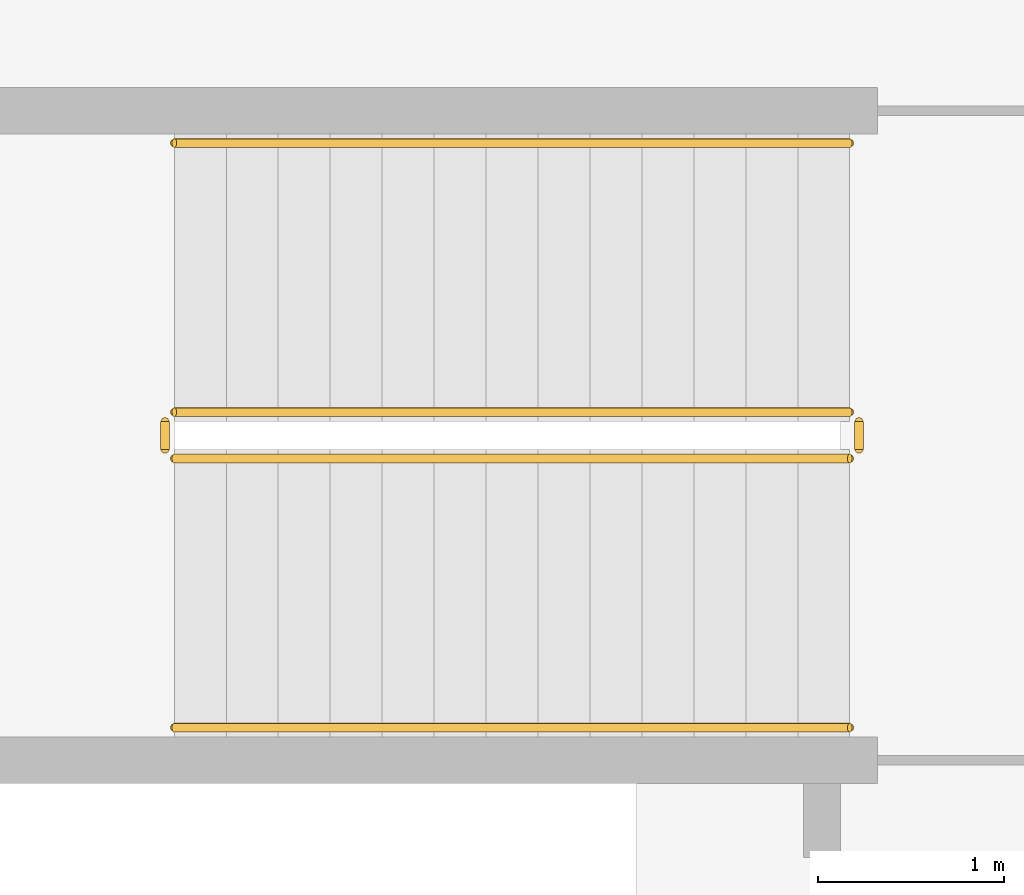
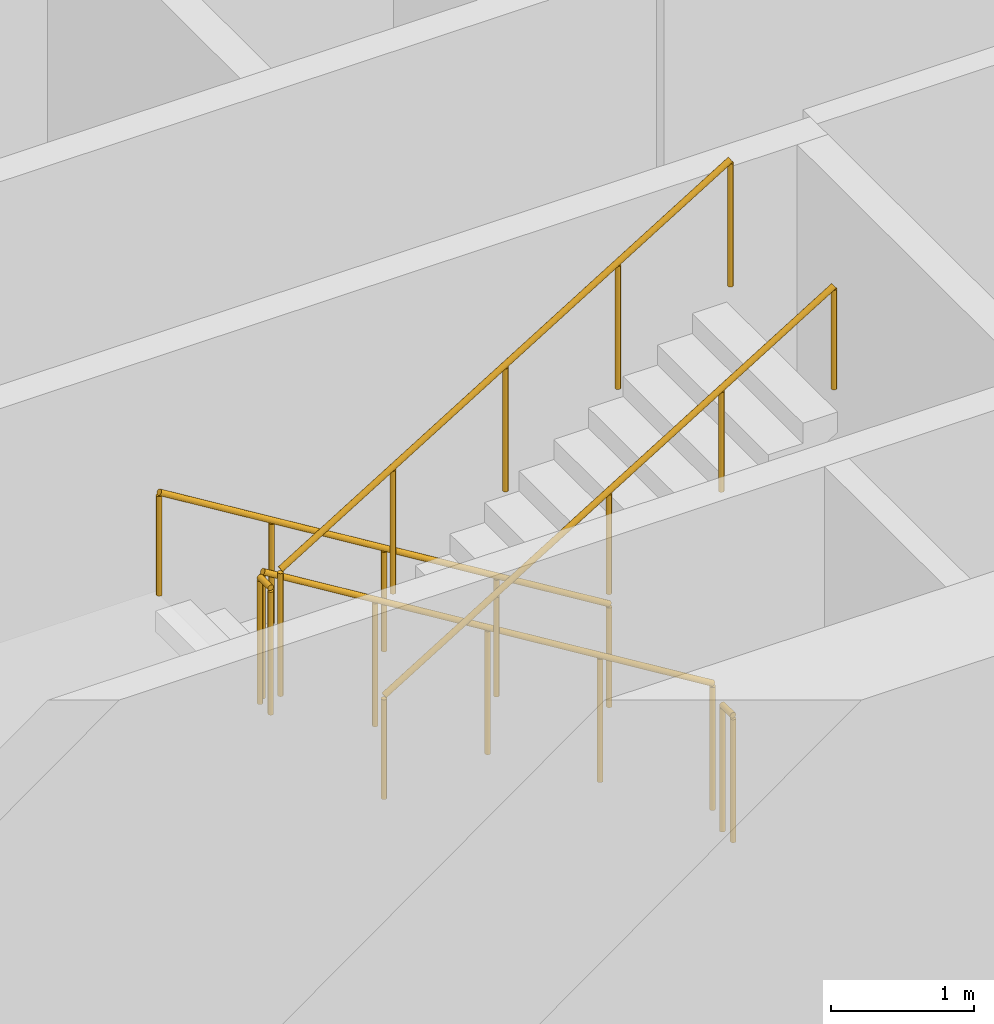
# One storey, part 17 of 21: 6 railings.
"""IFC4 building model written with IfcOpenShell, lengths in metres."""

from ifc_helpers import new_model, si_unit, direction, frame, origin, origin_2d, place, context, subcontext, project, spatial, circle, extrude, material, type_object, element, save


model = new_model("IFC4")

# Units and contexts
model_context = context("Model", 3, precision=1e-05, world=origin(), true_north=direction((0.0, 1.0)))
body_context = subcontext(model_context, "Body", "Model", "MODEL_VIEW")
ifc_project = project(units=[si_unit("LENGTHUNIT", "METRE"), si_unit("AREAUNIT", "SQUARE_METRE"), si_unit("VOLUMEUNIT", "CUBIC_METRE"), si_unit("PLANEANGLEUNIT", "RADIAN"), si_unit("MASSUNIT", "GRAM", prefix="KILO")], contexts=[model_context])

# Site, building, storey
site_placement = place(None, origin())
site = spatial("IfcSite", under=ifc_project, at=site_placement, CompositionType="ELEMENT")
building_placement = place(site_placement, origin())
building = spatial("IfcBuilding", under=site, at=building_placement, Name="Dhurran Vertical Campus", CompositionType="ELEMENT")
storey_placement = place(building_placement, frame((0.0, 0.0, 20.39990234375)))
storey = spatial("IfcBuildingStorey", under=building, at=storey_placement, Name="L04", CompositionType="ELEMENT", Elevation=20.39990234375)

# Railings
ifc_material_1 = material(Name="Stainless steel balustrade", Category="steel")
railing_type_1 = type_object("IfcRailingType", Name="co-RL-GUARD-1100", PredefinedType="GUARDRAIL", material=ifc_material_1)
railing_1_placement = place(storey_placement, frame((11.10009765625, -8.89990234375, 0.171630859375)))
element("IfcRailing", 1, at=railing_1_placement, inside=storey, type_object=railing_type_1, Name="L04 ST4 stair guard 1", PredefinedType="GUARDRAIL", context=body_context, shape_type="SweptSolid", body=[
    extrude(circle(Radius=0.02392578125, at=origin_2d()), frame((0.0, 0.0, 1.076171875), z_axis=(-0.852865859571, 0.0, 0.52213008492), x_axis=(0.0, -1.0, 0.0)), (0.0, 0.0, 1.0), 4.26806640625),
    extrude(circle(Radius=0.02099609375, at=origin_2d()), origin(), (0.0, 0.0, 1.0), 1.052001953125),
    extrude(circle(Radius=0.02099609375, at=origin_2d()), frame((-0.91015625, 0.0, 0.55712890625)), (0.0, 0.0, 1.0), 1.052001953125),
    extrude(circle(Radius=0.02099609375, at=origin_2d()), frame((-1.820068359375, 0.0, 1.1142578125)), (0.0, 0.0, 1.0), 1.052001953125),
    extrude(circle(Radius=0.02099609375, at=origin_2d()), frame((-2.72998046875, 0.0, 1.67138671875)), (0.0, 0.0, 1.0), 1.052001953125),
    extrude(circle(Radius=0.02099609375, at=origin_2d()), frame((-3.64013671875, 0.0, 2.228515625)), (0.0, 0.0, 1.0), 1.052001953125),
])
railing_2_placement = place(storey_placement, frame((7.409912109375, -8.949951171875, 2.400146484375)))
element("IfcRailing", 2, at=railing_2_placement, inside=storey, type_object=railing_type_1, Name="L04 ST4 stair guard 2", PredefinedType="GUARDRAIL", context=body_context, shape_type="SweptSolid", body=[
    extrude(circle(Radius=0.02392578125, at=origin_2d()), frame((0.0, 0.0, 1.076171875), z_axis=(0.0, -1.0, 0.0), x_axis=(1.0, 0.0, 0.0)), (0.0, 0.0, 1.0), 0.150146484375),
    extrude(circle(Radius=0.02099609375, at=origin_2d()), origin(), (0.0, 0.0, 1.0), 1.052001953125),
    extrude(circle(Radius=0.02099609375, at=origin_2d()), frame((0.0, -0.150146484375, 0.0)), (0.0, 0.0, 1.0), 1.052001953125),
])
railing_3_placement = place(storey_placement, frame((7.4599609375, -9.14990234375, 2.571533203125)))
element("IfcRailing", 3, at=railing_3_placement, inside=storey, type_object=railing_type_1, Name="L04 ST4 stair guard 3", PredefinedType="GUARDRAIL", context=body_context, shape_type="SweptSolid", body=[
    extrude(circle(Radius=0.02392578125, at=origin_2d()), frame((0.0, 0.0, 1.076171875), z_axis=(0.852865859571, 0.0, 0.52213008492), x_axis=(0.0, 1.0, 0.0)), (0.0, 0.0, 1.0), 4.26806640625),
    extrude(circle(Radius=0.02099609375, at=origin_2d()), origin(), (0.0, 0.0, 1.0), 1.052001953125),
    extrude(circle(Radius=0.02099609375, at=origin_2d()), frame((0.91015625, 0.0, 0.55712890625)), (0.0, 0.0, 1.0), 1.052001953125),
    extrude(circle(Radius=0.02099609375, at=origin_2d()), frame((1.820068359375, 0.0, 1.1142578125)), (0.0, 0.0, 1.0), 1.052001953125),
    extrude(circle(Radius=0.02099609375, at=origin_2d()), frame((2.72998046875, 0.0, 1.67138671875)), (0.0, 0.0, 1.0), 1.052001953125),
    extrude(circle(Radius=0.02099609375, at=origin_2d()), frame((3.64013671875, 0.0, 2.228515625)), (0.0, 0.0, 1.0), 1.052001953125),
])
railing_4_placement = place(storey_placement, frame((11.14990234375, -8.949951171875, 0.0)))
element("IfcRailing", 4, at=railing_4_placement, inside=storey, type_object=railing_type_1, Name="L04 ST4 stair guard 4", PredefinedType="GUARDRAIL", context=body_context, shape_type="SweptSolid", body=[
    extrude(circle(Radius=0.02392578125, at=origin_2d()), frame((0.0, 0.0, 1.076171875), z_axis=(0.0, -1.0, 0.0), x_axis=(1.0, 0.0, 0.0)), (0.0, 0.0, 1.0), 0.150146484375),
    extrude(circle(Radius=0.02099609375, at=origin_2d()), origin(), (0.0, 0.0, 1.0), 1.052001953125),
    extrude(circle(Radius=0.02099609375, at=origin_2d()), frame((0.0, -0.150146484375, 0.0)), (0.0, 0.0, 1.0), 1.052001953125),
])
ifc_material_2 = material(Name="Stainless steel handrail", Category="steel")
railing_type_2 = type_object("IfcRailingType", Name="co-RL-HANDRAIL-900", PredefinedType="HANDRAIL", material=ifc_material_2)
railing_5_placement = place(storey_placement, frame((11.10009765625, -7.449951171875, 0.171630859375)))
element("IfcRailing", 5, at=railing_5_placement, inside=storey, type_object=railing_type_2, Name="L04 ST4 stair handrail 1", PredefinedType="HANDRAIL", context=body_context, shape_type="SweptSolid", body=[
    extrude(circle(Radius=0.02392578125, at=origin_2d()), frame((0.0, 0.0, 0.8759765625), z_axis=(-0.852865859571, 0.0, 0.52213008492), x_axis=(0.0, -1.0, 0.0)), (0.0, 0.0, 1.0), 4.26806640625),
    extrude(circle(Radius=0.02099609375, at=origin_2d()), origin(), (0.0, 0.0, 1.0), 0.851806640625),
    extrude(circle(Radius=0.02099609375, at=origin_2d()), frame((-0.91015625, 0.0, 0.55712890625)), (0.0, 0.0, 1.0), 0.851806640625),
    extrude(circle(Radius=0.02099609375, at=origin_2d()), frame((-1.820068359375, 0.0, 1.1142578125)), (0.0, 0.0, 1.0), 0.851806640625),
    extrude(circle(Radius=0.02099609375, at=origin_2d()), frame((-2.72998046875, 0.0, 1.67138671875)), (0.0, 0.0, 1.0), 0.851806640625),
    extrude(circle(Radius=0.02099609375, at=origin_2d()), frame((-3.64013671875, 0.0, 2.228515625)), (0.0, 0.0, 1.0), 0.851806640625),
])
railing_6_placement = place(storey_placement, frame((7.4599609375, -10.60009765625, 2.571533203125)))
element("IfcRailing", 6, at=railing_6_placement, inside=storey, type_object=railing_type_2, Name="L04 ST4 stair handrail 2", PredefinedType="HANDRAIL", context=body_context, shape_type="SweptSolid", body=[
    extrude(circle(Radius=0.02392578125, at=origin_2d()), frame((0.0, 0.0, 0.8759765625), z_axis=(0.852865859571, 0.0, 0.52213008492), x_axis=(0.0, 1.0, 0.0)), (0.0, 0.0, 1.0), 4.26806640625),
    extrude(circle(Radius=0.02099609375, at=origin_2d()), origin(), (0.0, 0.0, 1.0), 0.851806640625),
    extrude(circle(Radius=0.02099609375, at=origin_2d()), frame((0.91015625, 0.0, 0.55712890625)), (0.0, 0.0, 1.0), 0.851806640625),
    extrude(circle(Radius=0.02099609375, at=origin_2d()), frame((1.820068359375, 0.0, 1.1142578125)), (0.0, 0.0, 1.0), 0.851806640625),
    extrude(circle(Radius=0.02099609375, at=origin_2d()), frame((2.72998046875, 0.0, 1.67138671875)), (0.0, 0.0, 1.0), 0.851806640625),
    extrude(circle(Radius=0.02099609375, at=origin_2d()), frame((3.64013671875, 0.0, 2.228515625)), (0.0, 0.0, 1.0), 0.851806640625),
])

save(model, "model.ifc")
